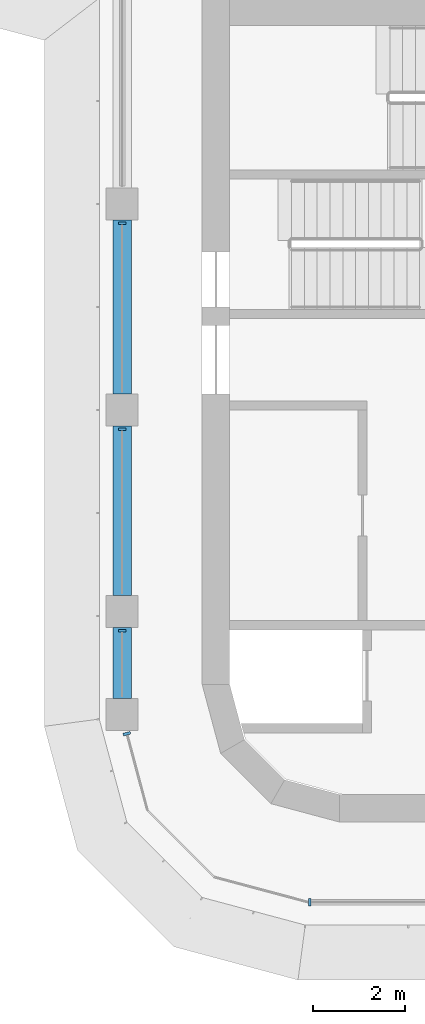
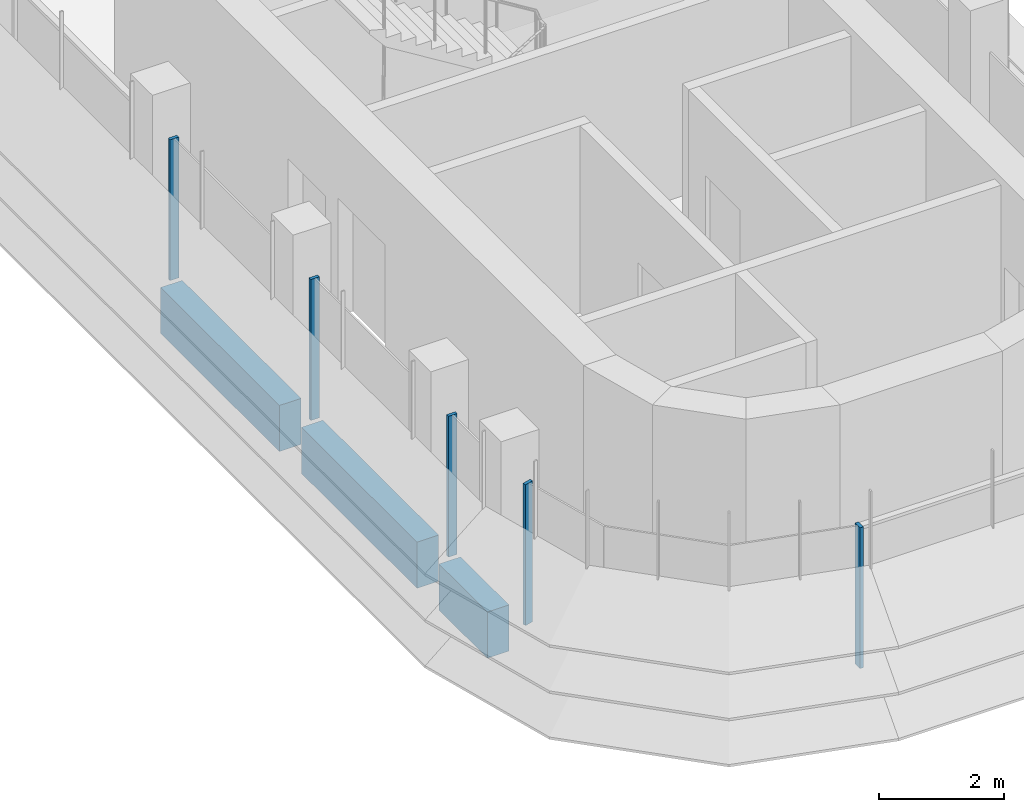
# One storey, part 2 of 19: 5 members, 3 beams, 3 elements without a shape of their own.
"""IFC4 building model written with IfcOpenShell, lengths in metres."""

import ifcopenshell
import ifcopenshell.guid

model = None  # the IFC model being written
_history = None  # IfcOwnerHistory: only IFC2X3 demands one
_inside = {}  # id of a spatial element -> (the spatial element, [elements in it])
_under = {}  # id of a project, library or spatial element -> (it, [spatial elements below it])
_declared = {}  # id of a project -> (the project, [libraries it declares])
_typed = {}  # id of a type object -> (the type object, [elements of that type])
_made_of = {}  # id of a material, layer set ... -> (it, [elements and type objects made of it])


def new_model(schema):
    """Start an empty IFC model of exactly this schema.

    Asked for "IFC4X3", IfcOpenShell would pick the latest addendum, in which some entities
    have other attributes; the version numbers below select the first issue.
    IFC2X3 requires an IfcOwnerHistory on every rooted entity: one is made here for all.
    """
    global model, _history
    if schema == "IFC4X3":
        model = ifcopenshell.file(schema_version=(4, 3, 0, 0))
    else:
        model = ifcopenshell.file(schema=schema)
    _inside.clear()
    _under.clear()
    _declared.clear()
    _typed.clear()
    _made_of.clear()
    _history = None
    if model.schema == "IFC2X3":
        org = make("IfcOrganization", Name="unknown")
        user = make(
            "IfcPersonAndOrganization",
            ThePerson=make("IfcPerson", FamilyName="unknown"),
            TheOrganization=org,
        )
        app = make(
            "IfcApplication",
            ApplicationDeveloper=org,
            Version="unknown",
            ApplicationFullName="unknown",
            ApplicationIdentifier="unknown",
        )
        _history = make(
            "IfcOwnerHistory",
            OwningUser=user,
            OwningApplication=app,
            ChangeAction="ADDED",
            CreationDate=0,
        )
    return model


def make(cls, **values):
    """One entity of the class cls with the attributes given. An attribute that is None is left unset."""
    return model.create_entity(
        cls, **{name: value for name, value in values.items() if value is not None}
    )


def rooted(cls, **values):
    """An entity with a GlobalId (a new one), such as an element, a storey or a relation."""
    return make(cls, GlobalId=ifcopenshell.guid.new(), OwnerHistory=_history, **values)


def si_unit(unit_type, name, prefix=None):
    """IfcSIUnit, for example si_unit("LENGTHUNIT", "METRE", prefix="MILLI")."""
    return make("IfcSIUnit", UnitType=unit_type, Prefix=prefix, Name=name)


def assignment(units):
    """IfcUnitAssignment: the units of a project."""
    return None if units is None else make("IfcUnitAssignment", Units=units)


def point(xyz):
    """IfcCartesianPoint."""
    return None if xyz is None else make("IfcCartesianPoint", Coordinates=xyz)


def direction(xyz):
    """IfcDirection."""
    return None if xyz is None else make("IfcDirection", DirectionRatios=xyz)


def frame(location, z_axis=None, x_axis=None):
    """IfcAxis2Placement3D, a coordinate frame: its origin and axes. An axis left out is left unset."""
    return make(
        "IfcAxis2Placement3D",
        Location=point(location),
        Axis=direction(z_axis),
        RefDirection=direction(x_axis),
    )


def frame_2d(location, x_axis=None):
    """IfcAxis2Placement2D, a coordinate frame in the plane: its origin and x axis."""
    return make(
        "IfcAxis2Placement2D", Location=point(location), RefDirection=direction(x_axis)
    )


def origin():
    """The frame at (0, 0, 0) with its axes left unset."""
    return frame((0.0, 0.0, 0.0))


def origin_2d():
    """The frame at (0, 0) in the plane with its x axis left unset."""
    return frame_2d((0.0, 0.0))


def place(relative_to, where):
    """IfcLocalPlacement: puts the frame where relative to a parent placement (None: the world)."""
    return make(
        "IfcLocalPlacement", PlacementRelTo=relative_to, RelativePlacement=where
    )


def context(
    kind, dimensions, precision=None, world=None, true_north=None, identifier=None
):
    """IfcGeometricRepresentationContext, for example the 3D "Model" context."""
    return make(
        "IfcGeometricRepresentationContext",
        ContextIdentifier=identifier,
        ContextType=kind,
        CoordinateSpaceDimension=dimensions,
        Precision=precision,
        WorldCoordinateSystem=world,
        TrueNorth=true_north,
    )


def subcontext(parent, identifier, kind, view, scale=None):
    """IfcGeometricRepresentationSubContext, for example "Body" below "Model"."""
    return make(
        "IfcGeometricRepresentationSubContext",
        ContextIdentifier=identifier,
        ContextType=kind,
        ParentContext=parent,
        TargetScale=scale,
        TargetView=view,
    )


def project(units=None, contexts=None):
    """IfcProject with its units and contexts."""
    return rooted(
        "IfcProject",
        Name="project",
        RepresentationContexts=contexts,
        UnitsInContext=assignment(units),
    )


def spatial(cls, under=None, at=None, **own):
    """A site, building, storey or space (cls), placed at a placement, below another one or the project."""
    s = rooted(cls, ObjectPlacement=at, **own)
    if under is not None:
        _under.setdefault(under.id(), (under, []))[1].append(s)
    return s


def polyline(points):
    """IfcPolyline through the points."""
    return make("IfcPolyline", Points=[point(p) for p in points])


def profile(cls, at=None, kind="AREA", **sizes):
    """A parametric profile (cls). Its sizes go by their IFC names, for example OverallWidth=200.0."""
    return make(cls, ProfileType=kind, Position=at, **sizes)


def rectangle(**sizes):
    """IfcRectangleProfileDef."""
    return profile("IfcRectangleProfileDef", **sizes)


def outline(outer, holes=None, kind="AREA"):
    """IfcArbitraryClosedProfileDef: a profile drawn as a closed curve; with holes, ...WithVoids."""
    if holes is None:
        return make("IfcArbitraryClosedProfileDef", ProfileType=kind, OuterCurve=outer)
    return make(
        "IfcArbitraryProfileDefWithVoids",
        ProfileType=kind,
        OuterCurve=outer,
        InnerCurves=holes,
    )


def extrude(swept, where, along, depth):
    """IfcExtrudedAreaSolid: the profile swept, set in the frame where, extruded along a direction by depth."""
    return make(
        "IfcExtrudedAreaSolid",
        SweptArea=swept,
        Position=where,
        ExtrudedDirection=direction(along),
        Depth=depth,
    )


def shape(context_of_items, identifier, shape_type, items):
    """IfcShapeRepresentation: the items that make up one representation, for example the "Body"."""
    return make(
        "IfcShapeRepresentation",
        ContextOfItems=context_of_items,
        RepresentationIdentifier=identifier,
        RepresentationType=shape_type,
        Items=items,
    )


def source(mapping_origin, context_of_items, identifier, shape_type, items):
    """IfcRepresentationMap: a shape defined once, which mapped items show again and again."""
    return make(
        "IfcRepresentationMap",
        MappingOrigin=mapping_origin,
        MappedRepresentation=shape(context_of_items, identifier, shape_type, items),
    )


def transform(
    local_origin,
    x_axis=None,
    y_axis=None,
    z_axis=None,
    scale=None,
    scale2=None,
    scale3=None,
    uniform=True,
):
    """IfcCartesianTransformationOperator3D, or its non-uniform kind. x_axis, y_axis, z_axis: its Axis1, 2, 3."""
    if uniform:
        return make(
            "IfcCartesianTransformationOperator3D",
            Axis1=direction(x_axis),
            Axis2=direction(y_axis),
            LocalOrigin=point(local_origin),
            Scale=scale,
            Axis3=direction(z_axis),
        )
    return make(
        "IfcCartesianTransformationOperator3DnonUniform",
        Axis1=direction(x_axis),
        Axis2=direction(y_axis),
        LocalOrigin=point(local_origin),
        Scale=scale,
        Axis3=direction(z_axis),
        Scale2=scale2,
        Scale3=scale3,
    )


def mapped(mapping_source, mapping_target):
    """IfcMappedItem: shows the shape of a source again, moved by a transform."""
    return make(
        "IfcMappedItem", MappingSource=mapping_source, MappingTarget=mapping_target
    )


def material(Name=None, Category=None):
    """IfcMaterial."""
    return make("IfcMaterial", Name=Name, Category=Category)


def material_profile(
    of_material, cross_section, Name=None, Category=None, Priority=None
):
    """IfcMaterialProfile: a cross section and its material."""
    return make(
        "IfcMaterialProfile",
        Name=Name,
        Material=of_material,
        Profile=cross_section,
        Priority=Priority,
        Category=Category,
    )


def profile_set(profiles, Name=None, composite=None):
    """IfcMaterialProfileSet."""
    return make(
        "IfcMaterialProfileSet",
        Name=Name,
        MaterialProfiles=profiles,
        CompositeProfile=composite,
    )


def made_of(thing, what):
    """Note that an element or type object is made of a material, layer set ...; save() writes the relation."""
    if what is not None:
        _made_of.setdefault(what.id(), (what, []))[1].append(thing)
    return thing


def type_object(cls, material=None, **own):
    """A type object (cls), such as IfcWallType, which elements share."""
    return made_of(rooted(cls, **own), material)


def element(
    cls,
    number,
    at=None,
    inside=None,
    cuts=None,
    type_object=None,
    material=None,
    context=None,
    identifier="Body",
    shape_type=None,
    held_by="IfcProductDefinitionShape",
    body=None,
    shapes=None,
    **own,
):
    """One element of the class cls, such as IfcWall. Its Tag is "e" and its number.

    at: its placement. inside: the storey or other place that contains it. cuts: it is an
    opening in that element (IfcRelVoidsElement). A single representation is given by context,
    identifier, shape_type and body (its items); several are given by shapes. held_by: the class
    of the entity that holds the representations. save() writes the other relations.
    """
    e = rooted(cls, Tag="e%d" % number, ObjectPlacement=at, **own)
    if body is not None:
        shapes = [shape(context, identifier, shape_type, body)]
    if shapes is not None:
        e.Representation = make(held_by, Representations=shapes)
    if inside is not None:
        _inside.setdefault(inside.id(), (inside, []))[1].append(e)
    if cuts is not None:
        rooted(
            "IfcRelVoidsElement", RelatingBuildingElement=cuts, RelatedOpeningElement=e
        )
    if type_object is not None:
        _typed.setdefault(type_object.id(), (type_object, []))[1].append(e)
    return made_of(e, material)


def aggregate(whole, parts):
    """IfcRelAggregates: a whole, such as a stair, and the parts it consists of."""
    return rooted("IfcRelAggregates", RelatingObject=whole, RelatedObjects=parts)


def save(model, path):
    """Write the relations noted so far, then the file.

    IfcRelAggregates (storeys below a building ...), IfcRelContainedInSpatialStructure (elements
    in a storey), IfcRelDefinesByType, IfcRelAssociatesMaterial and IfcRelDeclares: one each for
    every whole, place, type object, material and project.
    """
    for whole, parts in _under.values():
        aggregate(whole, parts)
    for where, things in _inside.values():
        rooted(
            "IfcRelContainedInSpatialStructure",
            RelatedElements=things,
            RelatingStructure=where,
        )
    for kind, things in _typed.values():
        rooted("IfcRelDefinesByType", RelatedObjects=things, RelatingType=kind)
    for what, things in _made_of.values():
        rooted("IfcRelAssociatesMaterial", RelatedObjects=things, RelatingMaterial=what)
    for by, libraries in _declared.values():
        rooted("IfcRelDeclares", RelatingContext=by, RelatedDefinitions=libraries)
    model.write(path)


model = new_model("IFC4")

# Units and contexts
model_context = context("Model", 3, precision=1e-05, world=origin(), true_north=direction((0.0, 1.0)))
body_context = subcontext(model_context, "Body", "Model", "MODEL_VIEW")
ifc_project = project(units=[si_unit("LENGTHUNIT", "METRE"), si_unit("AREAUNIT", "SQUARE_METRE"), si_unit("VOLUMEUNIT", "CUBIC_METRE"), si_unit("PLANEANGLEUNIT", "RADIAN"), si_unit("MASSUNIT", "GRAM", prefix="KILO")], contexts=[model_context])

# Site, building, storey
site_placement = place(None, origin())
site = spatial("IfcSite", under=ifc_project, at=site_placement, CompositionType="ELEMENT")
building_placement = place(site_placement, origin())
building = spatial("IfcBuilding", under=site, at=building_placement, Name="Zarbagh Exchange Tower", CompositionType="ELEMENT")
storey_placement = place(building_placement, frame((0.0, 0.0, 218.199951171875)))
storey = spatial("IfcBuildingStorey", under=building, at=storey_placement, Name="L53", CompositionType="ELEMENT", Elevation=218.199951171875)

# Beams
ifc_material_1 = material(Name="Concrete C50/60", Category="concrete")
ifc_material_profile = material_profile(ifc_material_1, rectangle(XDim=0.39990234375, YDim=0.89990234375, at=origin_2d()), Name="RC spandrel beam 400 x 900 C50/60")
ifc_profile_set = profile_set([ifc_material_profile], Name="Concrete C50/60")
beam_type = type_object("IfcBeamType", Name="RC spandrel beam 400 x 900 C50/60", PredefinedType="SPANDREL", material=ifc_profile_set)
beam_1_placement = place(storey_placement, frame((-6.25, -26.550048828125, -0.599853515625), z_axis=(0.0, 1.0, 0.0), x_axis=(-1.0, 0.0, 0.0)))
element("IfcBeam", 1, at=beam_1_placement, inside=storey, type_object=beam_type, Name="RC spandrel beam", PredefinedType="SPANDREL", context=body_context, shape_type="SweptSolid", body=[
    extrude(rectangle(XDim=0.39990234375, YDim=0.89990234375, at=origin_2d()), origin(), (0.0, 0.0, 1.0), 1.550048828125),
])
beam_2_placement = place(storey_placement, frame((-6.25, -24.300048828125, -0.599853515625), z_axis=(0.0, 1.0, 0.0), x_axis=(-1.0, 0.0, 0.0)))
element("IfcBeam", 2, at=beam_2_placement, inside=storey, type_object=beam_type, Name="RC spandrel beam", PredefinedType="SPANDREL", context=body_context, shape_type="SweptSolid", body=[
    extrude(rectangle(XDim=0.39990234375, YDim=0.89990234375, at=origin_2d()), origin(), (0.0, 0.0, 1.0), 3.699951171875),
])
beam_3_placement = place(storey_placement, frame((-6.25, -19.89990234375, -0.599853515625), z_axis=(0.0, 1.0, 0.0), x_axis=(-1.0, 0.0, 0.0)))
element("IfcBeam", 3, at=beam_3_placement, inside=storey, type_object=beam_type, Name="RC spandrel beam", PredefinedType="SPANDREL", context=body_context, shape_type="SweptSolid", body=[
    extrude(rectangle(XDim=0.39990234375, YDim=0.89990234375, at=origin_2d()), origin(), (0.0, 0.0, 1.0), 3.7998046875),
])

# Curtain wall, members
ifc_material_2 = material(Name="Anodised aluminium frame and glazing", Category="aluminium")
curtain_wall_type = type_object("IfcCurtainWallType", Name="CWB Ribbon glazing, upper zones", PredefinedType="NOTDEFINED", material=ifc_material_2)
curtain_wall_1_placement = place(storey_placement, origin())
curtain_wall_1 = element("IfcCurtainWall", 4, at=curtain_wall_1_placement, inside=storey, type_object=curtain_wall_type, Name="CWB53 curtain wall", PredefinedType="NOTDEFINED")
ifc_material_3 = material(Name="Anodised aluminium frame", Category="aluminium")
member_type = type_object("IfcMemberType", Name="MUB Mullion, anodised aluminium frame", PredefinedType="MULLION", material=ifc_material_3)
shared_shape = source(origin(), body_context, "Body", "SweptSolid", [
    extrude(outline(polyline([(0.0, -0.080078125), (0.06005859375, -0.080078125), (0.06005859375, 0.080078125), (0.0, 0.080078125), (0.0, -0.080078125)])), origin(), (0.0, 0.0, 1.0), 2.75),
])
placement = place(storey_placement, origin())
member_1 = element("IfcMember", 5, at=placement, type_object=member_type, Name="CWB53 mullion 2.1", PredefinedType="MULLION", context=body_context, shape_type="MappedRepresentation", body=[
    mapped(shared_shape, transform((-6.25, -16.14013671875, 0.0), x_axis=(0.0, -1.0, 0.0), y_axis=(1.0, 0.0, 0.0), z_axis=(0.0, 0.0, 1.0))),
])
member_2 = element("IfcMember", 6, at=placement, type_object=member_type, Name="CWB53 mullion 3.1", PredefinedType="MULLION", context=body_context, shape_type="MappedRepresentation", body=[
    mapped(shared_shape, transform((-6.25, -20.64013671875, 0.0), x_axis=(0.0, -1.0, 0.0), y_axis=(1.0, 0.0, 0.0), z_axis=(0.0, 0.0, 1.0))),
])
member_3 = element("IfcMember", 7, at=placement, type_object=member_type, Name="CWB53 mullion 4.1", PredefinedType="MULLION", context=body_context, shape_type="MappedRepresentation", body=[
    mapped(shared_shape, transform((-6.25, -25.0400390625, 0.0), x_axis=(0.0, -1.0, 0.0), y_axis=(1.0, 0.0, 0.0), z_axis=(0.0, 0.0, 1.0))),
])
aggregate(curtain_wall_1, [member_1, member_2, member_3])

# Curtain wall, member
curtain_wall_2_placement = place(storey_placement, origin())
curtain_wall_2 = element("IfcCurtainWall", 8, at=curtain_wall_2_placement, inside=storey, type_object=curtain_wall_type, Name="CWB54 curtain wall", PredefinedType="NOTDEFINED")
member_4 = element("IfcMember", 9, at=placement, type_object=member_type, Name="CWB54 mullion 1.1", PredefinedType="MULLION", context=body_context, shape_type="MappedRepresentation", body=[
    mapped(shared_shape, transform((-6.154541015625, -27.2900390625, 0.0), x_axis=(0.258824779902, -0.965924289636, 0.0), y_axis=(0.965924289636, 0.258824779902, 0.0), z_axis=(0.0, 0.0, 1.0))),
])
aggregate(curtain_wall_2, [member_4])

curtain_wall_3_placement = place(storey_placement, origin())
curtain_wall_3 = element("IfcCurtainWall", 10, at=curtain_wall_3_placement, inside=storey, type_object=curtain_wall_type, Name="CWB57 curtain wall", PredefinedType="NOTDEFINED")
member_5 = element("IfcMember", 11, at=placement, type_object=member_type, Name="CWB57 mullion 1.1", PredefinedType="MULLION", context=body_context, shape_type="MappedRepresentation", body=[
    mapped(shared_shape, transform((-2.18408203125, -31.0, 0.0), x_axis=(1.0, 0.0, 0.0), y_axis=(0.0, 1.0, 0.0), z_axis=(0.0, 0.0, 1.0))),
])
aggregate(curtain_wall_3, [member_5])

save(model, "model.ifc")
